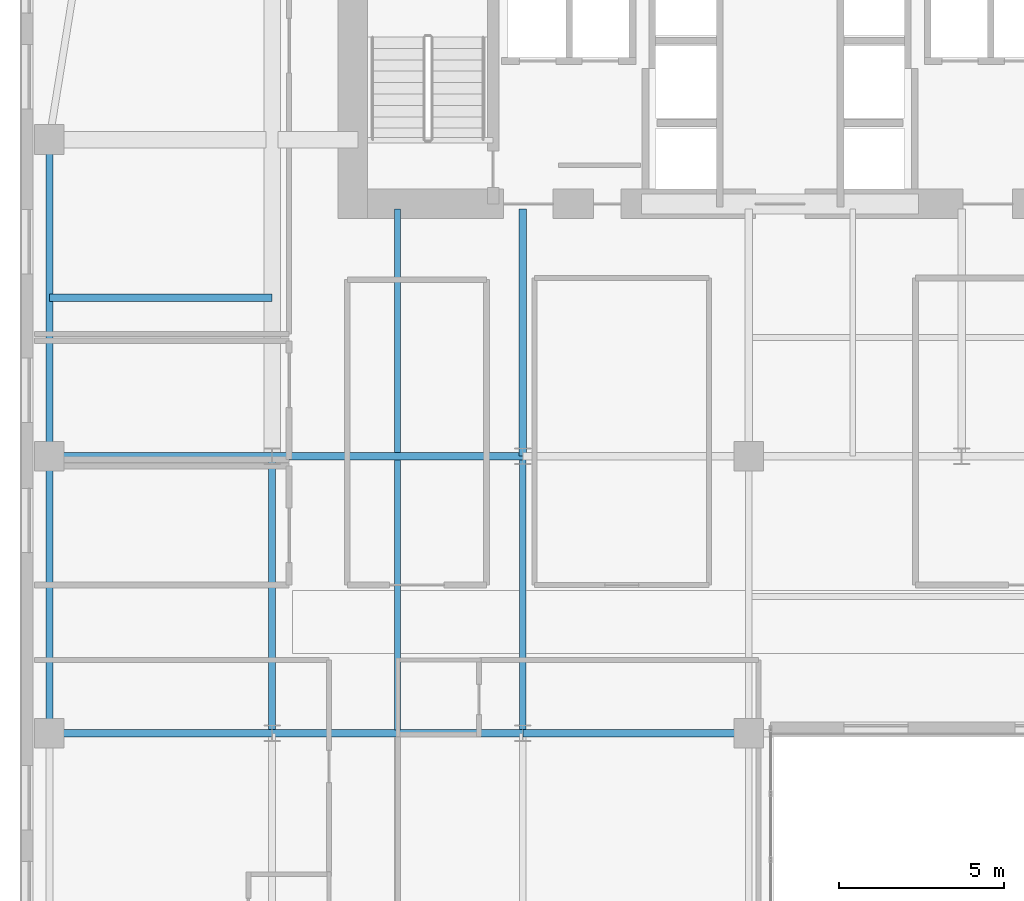
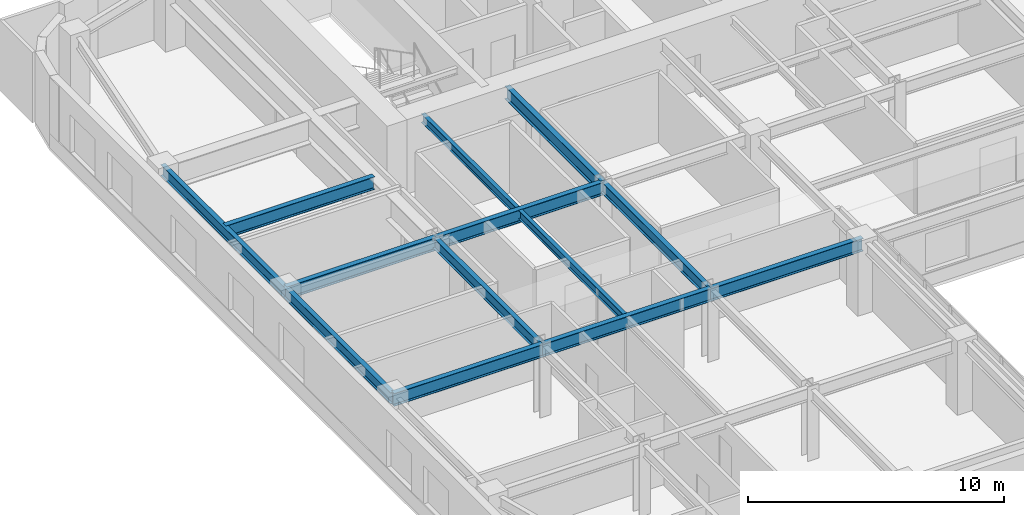
# One storey, part 4 of 24: 13 beams.
"""IFC4 building model written with IfcOpenShell, lengths in metres."""

import ifcopenshell
import ifcopenshell.guid

model = None  # the IFC model being written
_history = None  # IfcOwnerHistory: only IFC2X3 demands one
_inside = {}  # id of a spatial element -> (the spatial element, [elements in it])
_under = {}  # id of a project, library or spatial element -> (it, [spatial elements below it])
_declared = {}  # id of a project -> (the project, [libraries it declares])
_typed = {}  # id of a type object -> (the type object, [elements of that type])
_made_of = {}  # id of a material, layer set ... -> (it, [elements and type objects made of it])


def new_model(schema):
    """Start an empty IFC model of exactly this schema.

    Asked for "IFC4X3", IfcOpenShell would pick the latest addendum, in which some entities
    have other attributes; the version numbers below select the first issue.
    IFC2X3 requires an IfcOwnerHistory on every rooted entity: one is made here for all.
    """
    global model, _history
    if schema == "IFC4X3":
        model = ifcopenshell.file(schema_version=(4, 3, 0, 0))
    else:
        model = ifcopenshell.file(schema=schema)
    _inside.clear()
    _under.clear()
    _declared.clear()
    _typed.clear()
    _made_of.clear()
    _history = None
    if model.schema == "IFC2X3":
        org = make("IfcOrganization", Name="unknown")
        user = make(
            "IfcPersonAndOrganization",
            ThePerson=make("IfcPerson", FamilyName="unknown"),
            TheOrganization=org,
        )
        app = make(
            "IfcApplication",
            ApplicationDeveloper=org,
            Version="unknown",
            ApplicationFullName="unknown",
            ApplicationIdentifier="unknown",
        )
        _history = make(
            "IfcOwnerHistory",
            OwningUser=user,
            OwningApplication=app,
            ChangeAction="ADDED",
            CreationDate=0,
        )
    return model


def make(cls, **values):
    """One entity of the class cls with the attributes given. An attribute that is None is left unset."""
    return model.create_entity(
        cls, **{name: value for name, value in values.items() if value is not None}
    )


def rooted(cls, **values):
    """An entity with a GlobalId (a new one), such as an element, a storey or a relation."""
    return make(cls, GlobalId=ifcopenshell.guid.new(), OwnerHistory=_history, **values)


def si_unit(unit_type, name, prefix=None):
    """IfcSIUnit, for example si_unit("LENGTHUNIT", "METRE", prefix="MILLI")."""
    return make("IfcSIUnit", UnitType=unit_type, Prefix=prefix, Name=name)


def assignment(units):
    """IfcUnitAssignment: the units of a project."""
    return None if units is None else make("IfcUnitAssignment", Units=units)


def point(xyz):
    """IfcCartesianPoint."""
    return None if xyz is None else make("IfcCartesianPoint", Coordinates=xyz)


def direction(xyz):
    """IfcDirection."""
    return None if xyz is None else make("IfcDirection", DirectionRatios=xyz)


def frame(location, z_axis=None, x_axis=None):
    """IfcAxis2Placement3D, a coordinate frame: its origin and axes. An axis left out is left unset."""
    return make(
        "IfcAxis2Placement3D",
        Location=point(location),
        Axis=direction(z_axis),
        RefDirection=direction(x_axis),
    )


def frame_2d(location, x_axis=None):
    """IfcAxis2Placement2D, a coordinate frame in the plane: its origin and x axis."""
    return make(
        "IfcAxis2Placement2D", Location=point(location), RefDirection=direction(x_axis)
    )


def origin():
    """The frame at (0, 0, 0) with its axes left unset."""
    return frame((0.0, 0.0, 0.0))


def origin_2d():
    """The frame at (0, 0) in the plane with its x axis left unset."""
    return frame_2d((0.0, 0.0))


def place(relative_to, where):
    """IfcLocalPlacement: puts the frame where relative to a parent placement (None: the world)."""
    return make(
        "IfcLocalPlacement", PlacementRelTo=relative_to, RelativePlacement=where
    )


def context(
    kind, dimensions, precision=None, world=None, true_north=None, identifier=None
):
    """IfcGeometricRepresentationContext, for example the 3D "Model" context."""
    return make(
        "IfcGeometricRepresentationContext",
        ContextIdentifier=identifier,
        ContextType=kind,
        CoordinateSpaceDimension=dimensions,
        Precision=precision,
        WorldCoordinateSystem=world,
        TrueNorth=true_north,
    )


def subcontext(parent, identifier, kind, view, scale=None):
    """IfcGeometricRepresentationSubContext, for example "Body" below "Model"."""
    return make(
        "IfcGeometricRepresentationSubContext",
        ContextIdentifier=identifier,
        ContextType=kind,
        ParentContext=parent,
        TargetScale=scale,
        TargetView=view,
    )


def project(units=None, contexts=None):
    """IfcProject with its units and contexts."""
    return rooted(
        "IfcProject",
        Name="project",
        RepresentationContexts=contexts,
        UnitsInContext=assignment(units),
    )


def spatial(cls, under=None, at=None, **own):
    """A site, building, storey or space (cls), placed at a placement, below another one or the project."""
    s = rooted(cls, ObjectPlacement=at, **own)
    if under is not None:
        _under.setdefault(under.id(), (under, []))[1].append(s)
    return s


def profile(cls, at=None, kind="AREA", **sizes):
    """A parametric profile (cls). Its sizes go by their IFC names, for example OverallWidth=200.0."""
    return make(cls, ProfileType=kind, Position=at, **sizes)


def i_section(**sizes):
    """IfcIShapeProfileDef."""
    return profile("IfcIShapeProfileDef", **sizes)


def extrude(swept, where, along, depth):
    """IfcExtrudedAreaSolid: the profile swept, set in the frame where, extruded along a direction by depth."""
    return make(
        "IfcExtrudedAreaSolid",
        SweptArea=swept,
        Position=where,
        ExtrudedDirection=direction(along),
        Depth=depth,
    )


def shape(context_of_items, identifier, shape_type, items):
    """IfcShapeRepresentation: the items that make up one representation, for example the "Body"."""
    return make(
        "IfcShapeRepresentation",
        ContextOfItems=context_of_items,
        RepresentationIdentifier=identifier,
        RepresentationType=shape_type,
        Items=items,
    )


def source(mapping_origin, context_of_items, identifier, shape_type, items):
    """IfcRepresentationMap: a shape defined once, which mapped items show again and again."""
    return make(
        "IfcRepresentationMap",
        MappingOrigin=mapping_origin,
        MappedRepresentation=shape(context_of_items, identifier, shape_type, items),
    )


def transform(
    local_origin,
    x_axis=None,
    y_axis=None,
    z_axis=None,
    scale=None,
    scale2=None,
    scale3=None,
    uniform=True,
):
    """IfcCartesianTransformationOperator3D, or its non-uniform kind. x_axis, y_axis, z_axis: its Axis1, 2, 3."""
    if uniform:
        return make(
            "IfcCartesianTransformationOperator3D",
            Axis1=direction(x_axis),
            Axis2=direction(y_axis),
            LocalOrigin=point(local_origin),
            Scale=scale,
            Axis3=direction(z_axis),
        )
    return make(
        "IfcCartesianTransformationOperator3DnonUniform",
        Axis1=direction(x_axis),
        Axis2=direction(y_axis),
        LocalOrigin=point(local_origin),
        Scale=scale,
        Axis3=direction(z_axis),
        Scale2=scale2,
        Scale3=scale3,
    )


def mapped(mapping_source, mapping_target):
    """IfcMappedItem: shows the shape of a source again, moved by a transform."""
    return make(
        "IfcMappedItem", MappingSource=mapping_source, MappingTarget=mapping_target
    )


def material(Name=None, Category=None):
    """IfcMaterial."""
    return make("IfcMaterial", Name=Name, Category=Category)


def material_profile(
    of_material, cross_section, Name=None, Category=None, Priority=None
):
    """IfcMaterialProfile: a cross section and its material."""
    return make(
        "IfcMaterialProfile",
        Name=Name,
        Material=of_material,
        Profile=cross_section,
        Priority=Priority,
        Category=Category,
    )


def profile_set(profiles, Name=None, composite=None):
    """IfcMaterialProfileSet."""
    return make(
        "IfcMaterialProfileSet",
        Name=Name,
        MaterialProfiles=profiles,
        CompositeProfile=composite,
    )


def made_of(thing, what):
    """Note that an element or type object is made of a material, layer set ...; save() writes the relation."""
    if what is not None:
        _made_of.setdefault(what.id(), (what, []))[1].append(thing)
    return thing


def type_object(cls, material=None, **own):
    """A type object (cls), such as IfcWallType, which elements share."""
    return made_of(rooted(cls, **own), material)


def type_shapes(of_type, sources):
    """Give a type object the sources (RepresentationMaps) that its elements show as mapped items."""
    of_type.RepresentationMaps = sources


def element(
    cls,
    number,
    at=None,
    inside=None,
    cuts=None,
    type_object=None,
    material=None,
    context=None,
    identifier="Body",
    shape_type=None,
    held_by="IfcProductDefinitionShape",
    body=None,
    shapes=None,
    **own,
):
    """One element of the class cls, such as IfcWall. Its Tag is "e" and its number.

    at: its placement. inside: the storey or other place that contains it. cuts: it is an
    opening in that element (IfcRelVoidsElement). A single representation is given by context,
    identifier, shape_type and body (its items); several are given by shapes. held_by: the class
    of the entity that holds the representations. save() writes the other relations.
    """
    e = rooted(cls, Tag="e%d" % number, ObjectPlacement=at, **own)
    if body is not None:
        shapes = [shape(context, identifier, shape_type, body)]
    if shapes is not None:
        e.Representation = make(held_by, Representations=shapes)
    if inside is not None:
        _inside.setdefault(inside.id(), (inside, []))[1].append(e)
    if cuts is not None:
        rooted(
            "IfcRelVoidsElement", RelatingBuildingElement=cuts, RelatedOpeningElement=e
        )
    if type_object is not None:
        _typed.setdefault(type_object.id(), (type_object, []))[1].append(e)
    return made_of(e, material)


def aggregate(whole, parts):
    """IfcRelAggregates: a whole, such as a stair, and the parts it consists of."""
    return rooted("IfcRelAggregates", RelatingObject=whole, RelatedObjects=parts)


def save(model, path):
    """Write the relations noted so far, then the file.

    IfcRelAggregates (storeys below a building ...), IfcRelContainedInSpatialStructure (elements
    in a storey), IfcRelDefinesByType, IfcRelAssociatesMaterial and IfcRelDeclares: one each for
    every whole, place, type object, material and project.
    """
    for whole, parts in _under.values():
        aggregate(whole, parts)
    for where, things in _inside.values():
        rooted(
            "IfcRelContainedInSpatialStructure",
            RelatedElements=things,
            RelatingStructure=where,
        )
    for kind, things in _typed.values():
        rooted("IfcRelDefinesByType", RelatedObjects=things, RelatingType=kind)
    for what, things in _made_of.values():
        rooted("IfcRelAssociatesMaterial", RelatedObjects=things, RelatingMaterial=what)
    for by, libraries in _declared.values():
        rooted("IfcRelDeclares", RelatingContext=by, RelatedDefinitions=libraries)
    model.write(path)


model = new_model("IFC4")

# Units and contexts
model_context = context("Model", 3, precision=1e-05, world=origin(), true_north=direction((0.0, 1.0)))
body_context = subcontext(model_context, "Body", "Model", "MODEL_VIEW")
ifc_project = project(units=[si_unit("LENGTHUNIT", "METRE"), si_unit("AREAUNIT", "SQUARE_METRE"), si_unit("VOLUMEUNIT", "CUBIC_METRE"), si_unit("PLANEANGLEUNIT", "RADIAN"), si_unit("MASSUNIT", "GRAM", prefix="KILO")], contexts=[model_context])

# Site, building, storey
site_placement = place(None, origin())
site = spatial("IfcSite", under=ifc_project, at=site_placement, CompositionType="ELEMENT")
building_placement = place(site_placement, origin())
building = spatial("IfcBuilding", under=site, at=building_placement, Name="Tolvann Quenvar Hotel", CompositionType="ELEMENT")
storey_placement = place(building_placement, frame((0.0, 0.0, 88.800048828125)))
storey = spatial("IfcBuildingStorey", under=building, at=storey_placement, Name="L22", CompositionType="ELEMENT", Elevation=88.800048828125)

# Beams
ifc_material = material(Name="Steel Grade 350", Category="steel")
ifc_material_profile_1 = material_profile(ifc_material, i_section(OverallWidth=0.22900390625, OverallDepth=0.612060546875, WebThickness=0.011962890625, FlangeThickness=0.01953125, FilletRadius=0.013916015625, at=origin_2d()), Name="610UB125")
ifc_profile_set_1 = profile_set([ifc_material_profile_1], Name="Steel Grade 350")
beam_type_1 = type_object("IfcBeamType", Name="BM_GIRD_610UB125", PredefinedType="BEAM", material=ifc_profile_set_1)
shared_shape_1 = source(origin(), body_context, "Body", "SweptSolid", [
    extrude(i_section(OverallWidth=0.22900390625, OverallDepth=0.612060546875, WebThickness=0.011962890625, FlangeThickness=0.01953125, FilletRadius=0.013916015625, at=origin_2d()), origin(), (0.0, 0.0, 1.0), 6.75),
])
for number, where, z_axis, x_axis, name in (
    (1, (0.85009765625, 16.0, 3.06396484375), (1.0, 0.0, 0.0), (0.0, 1.0, 0.0), "BM-L22-EW-4-B4-C4"),
    (2, (0.85009765625, 24.39990234375, 3.06396484375), (1.0, 0.0, 0.0), (0.0, 1.0, 0.0), "BM-L22-EW-5-B5-C5"),
    (3, (0.85009765625, 29.199951171875, 3.06396484375), (1.0, 0.0, 0.0), (0.0, 1.0, 0.0), "BM-L22-EW-BC29"),
):
    element("IfcBeam", number, at=place(storey_placement, frame(where, z_axis=z_axis, x_axis=x_axis)), inside=storey, type_object=beam_type_1, Name=name, PredefinedType="BEAM", context=body_context, shape_type="MappedRepresentation", body=[
        mapped(shared_shape_1, transform((0.0, 0.0, 0.0), x_axis=(1.0, 0.0, 0.0), y_axis=(0.0, 1.0, 0.0), z_axis=(0.0, 0.0, 1.0), scale=1.0)),
    ])
shared_shape_2 = source(origin(), body_context, "Body", "SweptSolid", [
    extrude(i_section(OverallWidth=0.22900390625, OverallDepth=0.612060546875, WebThickness=0.011962890625, FlangeThickness=0.01953125, FilletRadius=0.013916015625, at=origin_2d()), origin(), (0.0, 0.0, 1.0), 7.599853515625),
])
for number, where, z_axis, x_axis, name in (
    (4, (7.60009765625, 16.0, 3.06396484375), (1.0, 0.0, 0.0), (0.0, 1.0, 0.0), "BM-L22-EW-4-C4-D4"),
    (5, (7.60009765625, 24.39990234375, 3.06396484375), (1.0, 0.0, 0.0), (0.0, 1.0, 0.0), "BM-L22-EW-5-C5-D5"),
):
    element("IfcBeam", number, at=place(storey_placement, frame(where, z_axis=z_axis, x_axis=x_axis)), inside=storey, type_object=beam_type_1, Name=name, PredefinedType="BEAM", context=body_context, shape_type="MappedRepresentation", body=[
        mapped(shared_shape_2, transform((0.0, 0.0, 0.0), x_axis=(1.0, 0.0, 0.0), y_axis=(0.0, 1.0, 0.0), z_axis=(0.0, 0.0, 1.0), scale=1.0)),
    ])
shared_shape_3 = source(origin(), body_context, "Body", "SweptSolid", [
    extrude(i_section(OverallWidth=0.22900390625, OverallDepth=0.612060546875, WebThickness=0.011962890625, FlangeThickness=0.01953125, FilletRadius=0.013916015625, at=origin_2d()), origin(), (0.0, 0.0, 1.0), 6.85009765625),
])
beam_1_placement = place(storey_placement, frame((15.199951171875, 16.0, 3.06396484375), z_axis=(1.0, 0.0, 0.0), x_axis=(0.0, 1.0, 0.0)))
element("IfcBeam", 6, at=beam_1_placement, inside=storey, type_object=beam_type_1, Name="BM-L22-EW-4-D4-E4", PredefinedType="BEAM", context=body_context, shape_type="MappedRepresentation", body=[
    mapped(shared_shape_3, transform((0.0, 0.0, 0.0), x_axis=(1.0, 0.0, 0.0), y_axis=(0.0, 1.0, 0.0), z_axis=(0.0, 0.0, 1.0), scale=1.0)),
])
ifc_material_profile_2 = material_profile(ifc_material, i_section(OverallWidth=0.208984375, OverallDepth=0.528076171875, WebThickness=0.009521484375, FlangeThickness=0.01318359375, FilletRadius=0.013916015625, at=origin_2d()), Name="530UB82")
ifc_profile_set_2 = profile_set([ifc_material_profile_2], Name="Steel Grade 350")
beam_type_2 = type_object("IfcBeamType", Name="BM_SPAND_530UB82", PredefinedType="SPANDREL", material=ifc_profile_set_2)
shared_shape_4 = source(origin(), body_context, "Body", "SweptSolid", [
    extrude(i_section(OverallWidth=0.208984375, OverallDepth=0.528076171875, WebThickness=0.009521484375, FlangeThickness=0.01318359375, FilletRadius=0.013916015625, at=origin_2d()), origin(), (0.0, 0.0, 1.0), 8.39990234375),
])
beam_2_placement = place(storey_placement, frame((0.85009765625, 16.0, 3.10595703125), z_axis=(0.0, 1.0, 0.0), x_axis=(-1.0, 0.0, 0.0)))
element("IfcBeam", 7, at=beam_2_placement, inside=storey, type_object=beam_type_2, Name="BM-L22-NS-B4-B5", PredefinedType="SPANDREL", context=body_context, shape_type="MappedRepresentation", body=[
    mapped(shared_shape_4, transform((0.0, 0.0, 0.0), x_axis=(1.0, 0.0, 0.0), y_axis=(0.0, 1.0, 0.0), z_axis=(0.0, 0.0, 1.0), scale=1.0)),
])
ifc_material_profile_3 = material_profile(ifc_material, i_section(OverallWidth=0.208984375, OverallDepth=0.532958984375, WebThickness=0.01025390625, FlangeThickness=0.015625, FilletRadius=0.013916015625, at=origin_2d()), Name="530UB92")
ifc_profile_set_3 = profile_set([ifc_material_profile_3], Name="Steel Grade 350")
beam_type_3 = type_object("IfcBeamType", Name="BM_GIRD_530UB92", PredefinedType="BEAM", material=ifc_profile_set_3)
shared_shape_5 = source(origin(), body_context, "Body", "SweptSolid", [
    extrude(i_section(OverallWidth=0.208984375, OverallDepth=0.532958984375, WebThickness=0.01025390625, FlangeThickness=0.015625, FilletRadius=0.013916015625, at=origin_2d()), origin(), (0.0, 0.0, 1.0), 8.39990234375),
])
type_shapes(beam_type_3, [shared_shape_5])
for number, where, z_axis, x_axis, name in (
    (8, (7.60009765625, 16.0, 3.103515625), (0.0, 1.0, 0.0), (-1.0, 0.0, 0.0), "BM-L22-NS-C4-C5"),
    (9, (15.199951171875, 16.0, 3.103515625), (0.0, 1.0, 0.0), (-1.0, 0.0, 0.0), "BM-L22-NS-D4-D5"),
):
    element("IfcBeam", number, at=place(storey_placement, frame(where, z_axis=z_axis, x_axis=x_axis)), inside=storey, type_object=beam_type_3, Name=name, PredefinedType="BEAM", context=body_context, shape_type="MappedRepresentation", body=[
        mapped(shared_shape_5, transform((0.0, 0.0, 0.0), x_axis=(1.0, 0.0, 0.0), y_axis=(0.0, 1.0, 0.0), z_axis=(0.0, 0.0, 1.0), scale=1.0)),
    ])
shared_shape_6 = source(origin(), body_context, "Body", "SweptSolid", [
    extrude(i_section(OverallWidth=0.22900390625, OverallDepth=0.612060546875, WebThickness=0.011962890625, FlangeThickness=0.01953125, FilletRadius=0.013916015625, at=origin_2d()), origin(), (0.0, 0.0, 1.0), 7.5),
])
type_shapes(beam_type_1, [shared_shape_1, shared_shape_2, shared_shape_3, shared_shape_6])
beam_3_placement = place(storey_placement, frame((15.199951171875, 24.39990234375, 3.06396484375), z_axis=(0.0, 1.0, 0.0), x_axis=(-1.0, 0.0, 0.0)))
element("IfcBeam", 10, at=beam_3_placement, inside=storey, type_object=beam_type_1, Name="BM-L22-CORE-D5", PredefinedType="BEAM", context=body_context, shape_type="MappedRepresentation", body=[
    mapped(shared_shape_6, transform((0.0, 0.0, 0.0), x_axis=(1.0, 0.0, 0.0), y_axis=(0.0, 1.0, 0.0), z_axis=(0.0, 0.0, 1.0), scale=1.0)),
])
shared_shape_7 = source(origin(), body_context, "Body", "SweptSolid", [
    extrude(i_section(OverallWidth=0.208984375, OverallDepth=0.528076171875, WebThickness=0.009521484375, FlangeThickness=0.01318359375, FilletRadius=0.013916015625, at=origin_2d()), origin(), (0.0, 0.0, 1.0), 9.60009765625),
])
type_shapes(beam_type_2, [shared_shape_4, shared_shape_7])
beam_4_placement = place(storey_placement, frame((0.85009765625, 24.39990234375, 3.10595703125), z_axis=(0.0, 1.0, 0.0), x_axis=(-1.0, 0.0, 0.0)))
element("IfcBeam", 11, at=beam_4_placement, inside=storey, type_object=beam_type_2, Name="BM-L22-FLK-W1", PredefinedType="SPANDREL", context=body_context, shape_type="MappedRepresentation", body=[
    mapped(shared_shape_7, transform((0.0, 0.0, 0.0), x_axis=(1.0, 0.0, 0.0), y_axis=(0.0, 1.0, 0.0), z_axis=(0.0, 0.0, 1.0), scale=1.0)),
])
ifc_material_profile_4 = material_profile(ifc_material, i_section(OverallWidth=0.177978515625, OverallDepth=0.406005859375, WebThickness=0.0078125, FlangeThickness=0.0126953125, FilletRadius=0.011474609375, at=origin_2d()), Name="410UB60")
ifc_profile_set_4 = profile_set([ifc_material_profile_4], Name="Steel Grade 350")
beam_type_4 = type_object("IfcBeamType", Name="BM_JOIST_410UB60", PredefinedType="JOIST", material=ifc_profile_set_4)
shared_shape_8 = source(origin(), body_context, "Body", "SweptSolid", [
    extrude(i_section(OverallWidth=0.177978515625, OverallDepth=0.406005859375, WebThickness=0.0078125, FlangeThickness=0.0126953125, FilletRadius=0.011474609375, at=origin_2d()), origin(), (0.0, 0.0, 1.0), 8.18310546875),
])
beam_5_placement = place(storey_placement, frame((11.39990234375, 16.1083984375, 3.1669921875), z_axis=(0.0, 1.0, 0.0), x_axis=(-1.0, 0.0, 0.0)))
element("IfcBeam", 12, at=beam_5_placement, inside=storey, type_object=beam_type_4, Name="BJ-L22-114-160", PredefinedType="JOIST", context=body_context, shape_type="MappedRepresentation", body=[
    mapped(shared_shape_8, transform((0.0, 0.0, 0.0), x_axis=(1.0, 0.0, 0.0), y_axis=(0.0, 1.0, 0.0), z_axis=(0.0, 0.0, 1.0), scale=1.0)),
])
shared_shape_9 = source(origin(), body_context, "Body", "SweptSolid", [
    extrude(i_section(OverallWidth=0.177978515625, OverallDepth=0.406005859375, WebThickness=0.0078125, FlangeThickness=0.0126953125, FilletRadius=0.011474609375, at=origin_2d()), origin(), (0.0, 0.0, 1.0), 7.391357421875),
])
type_shapes(beam_type_4, [shared_shape_8, shared_shape_9])
beam_6_placement = place(storey_placement, frame((11.39990234375, 24.508544921875, 3.1669921875), z_axis=(0.0, 1.0, 0.0), x_axis=(-1.0, 0.0, 0.0)))
element("IfcBeam", 13, at=beam_6_placement, inside=storey, type_object=beam_type_4, Name="BJ-L22-114-244", PredefinedType="JOIST", context=body_context, shape_type="MappedRepresentation", body=[
    mapped(shared_shape_9, transform((0.0, 0.0, 0.0), x_axis=(1.0, 0.0, 0.0), y_axis=(0.0, 1.0, 0.0), z_axis=(0.0, 0.0, 1.0), scale=1.0)),
])

save(model, "model.ifc")
